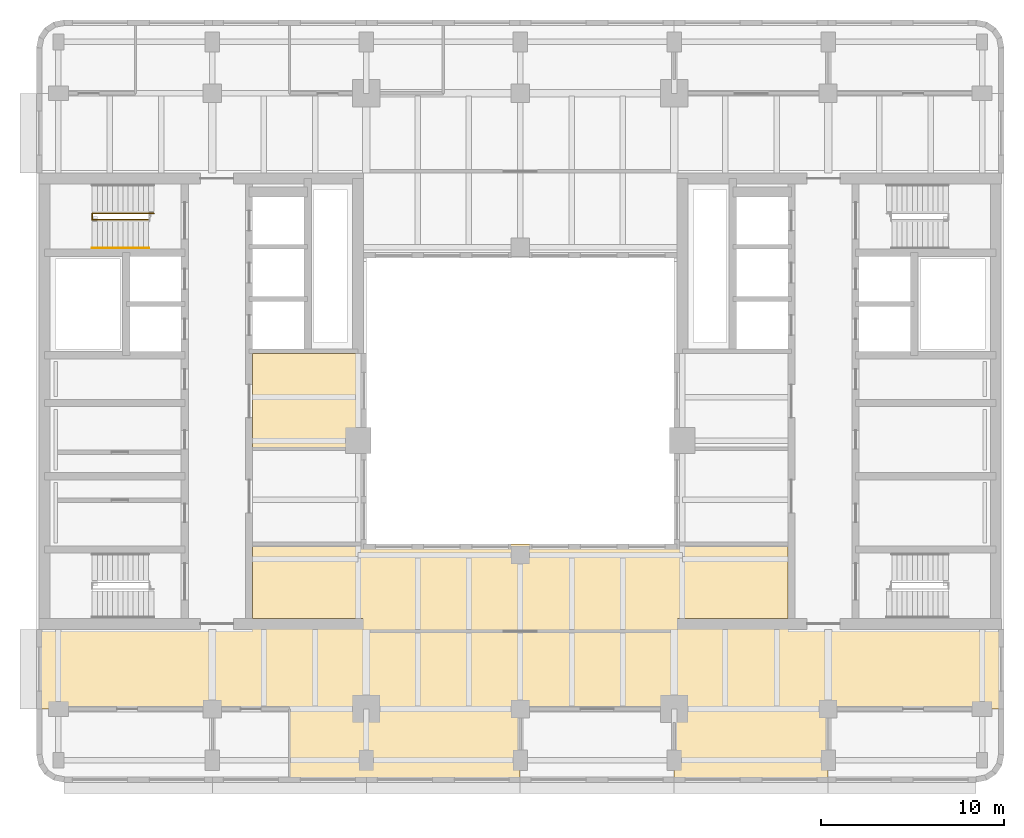
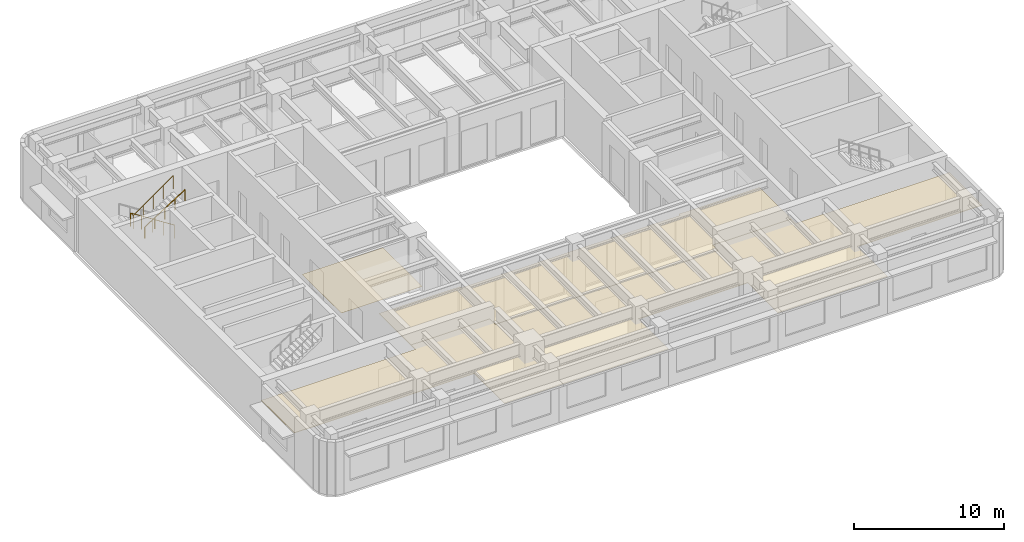
# One storey, part 10 of 13: 3 coverings, 2 railings.
"""IFC4 building model written with IfcOpenShell, lengths in metres."""

from ifc_helpers import new_model, si_unit, direction, frame, origin, origin_2d, place, context, subcontext, project, spatial, polyline, circle, outline, extrude, material, layer, layer_set, type_object, element, save


model = new_model("IFC4")

# Units and contexts
model_context = context("Model", 3, precision=1e-05, world=origin(), true_north=direction((0.0, 1.0)))
body_context = subcontext(model_context, "Body", "Model", "MODEL_VIEW")
ifc_project = project(units=[si_unit("LENGTHUNIT", "METRE"), si_unit("AREAUNIT", "SQUARE_METRE"), si_unit("VOLUMEUNIT", "CUBIC_METRE"), si_unit("PLANEANGLEUNIT", "RADIAN"), si_unit("MASSUNIT", "GRAM", prefix="KILO")], contexts=[model_context])

# Site, building, storey
site_placement = place(None, origin())
site = spatial("IfcSite", under=ifc_project, at=site_placement, CompositionType="ELEMENT")
building_placement = place(site_placement, origin())
building = spatial("IfcBuilding", under=site, at=building_placement, Name="Claustro Exchange Tower", CompositionType="ELEMENT")
storey_placement = place(building_placement, frame((0.0, 0.0, 277.199951171875)))
storey = spatial("IfcBuildingStorey", under=building, at=storey_placement, Name="L63", CompositionType="ELEMENT", Elevation=277.199951171875)

# Coverings
ifc_material_1 = material(Name="Oak slats on acoustic backing", Category="wood")
ifc_layer_1 = layer(ifc_material_1, 0.050048828125)
ifc_layer_set_1 = layer_set([ifc_layer_1], Name="Oak slats on acoustic backing")
covering_type_1 = type_object("IfcCoveringType", Name="CL3 timber slat ceiling", PredefinedType="CEILING", material=ifc_layer_set_1)
covering_1_placement = place(storey_placement, frame((0.0, 0.0, 3.0)))
element("IfcCovering", 1, at=covering_1_placement, inside=storey, type_object=covering_type_1, Name="Ceiling CL3 L63-05", PredefinedType="CEILING", context=body_context, shape_type="SweptSolid", body=[
    extrude(outline(polyline([(10.60009765625, 13.669921875), (10.60009765625, 12.75), (-1.050048828125, 12.75), (-1.050048828125, 12.77001953125), (-1.199951171875, 12.77001953125), (-1.199951171875, 8.39990234375), (12.60009765625, 8.39990234375), (12.60009765625, 4.39990234375), (25.199951171875, 4.39990234375), (25.199951171875, 8.39990234375), (33.60009765625, 8.39990234375), (33.60009765625, 4.39990234375), (42.0, 4.39990234375), (42.0, 8.39990234375), (51.60009765625, 8.39990234375), (51.60009765625, 12.77001953125), (51.449951171875, 12.77001953125), (51.449951171875, 12.75), (39.800048828125, 12.75), (39.800048828125, 13.669921875), (33.60009765625, 13.669921875), (33.60009765625, 12.60009765625), (16.800048828125, 12.60009765625), (16.800048828125, 13.669921875), (10.60009765625, 13.669921875)])), origin(), (0.0, 0.0, 1.0), 0.050048828125),
])
covering_2_placement = place(storey_placement, frame((0.0, 0.0, 3.0)))
element("IfcCovering", 2, at=covering_2_placement, inside=storey, type_object=covering_type_1, Name="Ceiling CL3 L63-06", PredefinedType="CEILING", context=body_context, shape_type="SweptSolid", body=[
    extrude(outline(polyline([(33.60009765625, 17.39990234375), (16.800048828125, 17.39990234375), (16.800048828125, 17.570068359375), (10.60009765625, 17.570068359375), (10.60009765625, 13.330078125), (16.6298828125, 13.330078125), (16.6298828125, 12.60009765625), (33.77001953125, 12.60009765625), (33.77001953125, 13.330078125), (39.800048828125, 13.330078125), (39.800048828125, 17.570068359375), (33.60009765625, 17.570068359375), (33.60009765625, 17.39990234375)])), origin(), (0.0, 0.0, 1.0), 0.050048828125),
])
ifc_material_2 = material(Name="Epoxy resin floor finish", Category="resin")
ifc_layer_2 = layer(ifc_material_2, 0.006103515625)
ifc_layer_set_2 = layer_set([ifc_layer_2], Name="Epoxy resin floor finish")
covering_type_2 = type_object("IfcCoveringType", Name="FL2 resin plant room floor", PredefinedType="FLOORING", material=ifc_layer_set_2)
covering_3_placement = place(storey_placement, origin())
element("IfcCovering", 3, at=covering_3_placement, inside=storey, type_object=covering_type_2, Name="Resin floor FL2 L63-09", PredefinedType="FLOORING", context=body_context, shape_type="SweptSolid", body=[
    extrude(outline(polyline([(16.800048828125, 22.60009765625), (16.800048828125, 27.800048828125), (10.60009765625, 27.800048828125), (10.60009765625, 22.60009765625), (16.800048828125, 22.60009765625)])), origin(), (0.0, 0.0, 1.0), 0.006103515625),
])

# Railings
ifc_material_3 = material(Name="Steel balustrade, painted", Category="steel")
railing_type_1 = type_object("IfcRailingType", Name="GR2 1100 steel stair guard", PredefinedType="GUARDRAIL", material=ifc_material_3)
railing_1_placement = place(storey_placement, frame((5.199951171875, 35.449951171875, 0.179931640625)))
element("IfcRailing", 4, at=railing_1_placement, inside=storey, type_object=railing_type_1, Name="Stair well guard GR2 stair STWB L63", PredefinedType="GUARDRAIL", context=body_context, shape_type="SweptSolid", body=[
    extrude(circle(Radius=0.02392578125, at=origin_2d()), frame((0.0, 0.0, 1.076171875), z_axis=(-0.841150671818, 0.0, 0.540800838849), x_axis=(0.0, -1.0, 0.0)), (0.0, 0.0, 1.0), 3.994384765625),
    extrude(circle(Radius=0.02392578125, at=origin_2d()), frame((-3.35986328125, 0.0, 3.236328125), z_axis=(0.0, -1.0, 0.0), x_axis=(1.0, 0.0, 0.0)), (0.0, 0.0, 1.0), 0.349853515625),
    extrude(circle(Radius=0.02392578125, at=origin_2d()), frame((-3.35986328125, -0.349853515625, 3.236328125), z_axis=(0.818728512145, 0.0, 0.574180828137), x_axis=(0.0, 1.0, 0.0)), (0.0, 0.0, 1.0), 3.76171875),
    extrude(circle(Radius=0.02099609375, at=origin_2d()), origin(), (0.0, 0.0, 1.0), 1.052001953125),
    extrude(circle(Radius=0.02099609375, at=origin_2d()), frame((-0.83984375, 0.0, 0.5400390625)), (0.0, 0.0, 1.0), 1.052001953125),
    extrude(circle(Radius=0.02099609375, at=origin_2d()), frame((-1.679931640625, 0.0, 1.080078125)), (0.0, 0.0, 1.0), 1.052001953125),
    extrude(circle(Radius=0.02099609375, at=origin_2d()), frame((-2.52001953125, 0.0, 1.6201171875)), (0.0, 0.0, 1.0), 1.052001953125),
    extrude(circle(Radius=0.02099609375, at=origin_2d()), frame((-3.35986328125, 0.0, 2.16015625)), (0.0, 0.0, 1.0), 1.052001953125),
    extrude(circle(Radius=0.02099609375, at=origin_2d()), frame((-3.35986328125, -0.349853515625, 2.16015625)), (0.0, 0.0, 1.0), 1.052001953125),
    extrude(circle(Radius=0.02099609375, at=origin_2d()), frame((-2.58984375, -0.349853515625, 2.7001953125)), (0.0, 0.0, 1.0), 1.052001953125),
    extrude(circle(Radius=0.02099609375, at=origin_2d()), frame((-1.81982421875, -0.349853515625, 3.240234375)), (0.0, 0.0, 1.0), 1.052001953125),
    extrude(circle(Radius=0.02099609375, at=origin_2d()), frame((-1.050048828125, -0.349853515625, 3.780029296875)), (0.0, 0.0, 1.0), 1.052001953125),
    extrude(circle(Radius=0.02099609375, at=origin_2d()), frame((-0.280029296875, -0.349853515625, 4.320068359375)), (0.0, 0.0, 1.0), 1.052001953125),
])
ifc_material_4 = material(Name="Stainless steel tube", Category="steel")
railing_type_2 = type_object("IfcRailingType", Name="HR1 900 stair handrail", PredefinedType="HANDRAIL", material=ifc_material_4)
railing_2_placement = place(storey_placement, frame((1.840087890625, 33.56005859375, 2.52001953125)))
element("IfcRailing", 5, at=railing_2_placement, inside=storey, type_object=railing_type_2, Name="Handrail HR1 stair STWB L63", PredefinedType="HANDRAIL", context=body_context, shape_type="SweptSolid", body=[
    extrude(circle(Radius=0.02392578125, at=origin_2d()), frame((0.0, 0.0, 0.8759765625), z_axis=(0.841167642724, 0.0, 0.540774441735), x_axis=(0.0, 1.0, 0.0)), (0.0, 0.0, 1.0), 3.661376953125),
    extrude(circle(Radius=0.02099609375, at=origin_2d()), origin(), (0.0, 0.0, 1.0), 0.851806640625),
    extrude(circle(Radius=0.02099609375, at=origin_2d()), frame((0.77001953125, 0.0, 0.4951171875)), (0.0, 0.0, 1.0), 0.851806640625),
    extrude(circle(Radius=0.02099609375, at=origin_2d()), frame((1.5400390625, 0.0, 0.989990234375)), (0.0, 0.0, 1.0), 0.851806640625),
    extrude(circle(Radius=0.02099609375, at=origin_2d()), frame((2.309814453125, 0.0, 1.48486328125)), (0.0, 0.0, 1.0), 0.851806640625),
    extrude(circle(Radius=0.02099609375, at=origin_2d()), frame((3.079833984375, 0.0, 1.97998046875)), (0.0, 0.0, 1.0), 0.851806640625),
])

save(model, "model.ifc")
